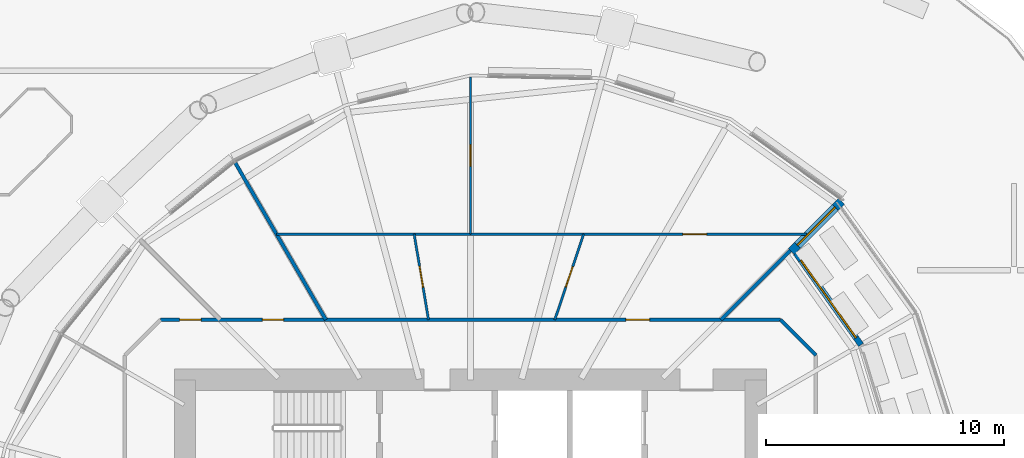
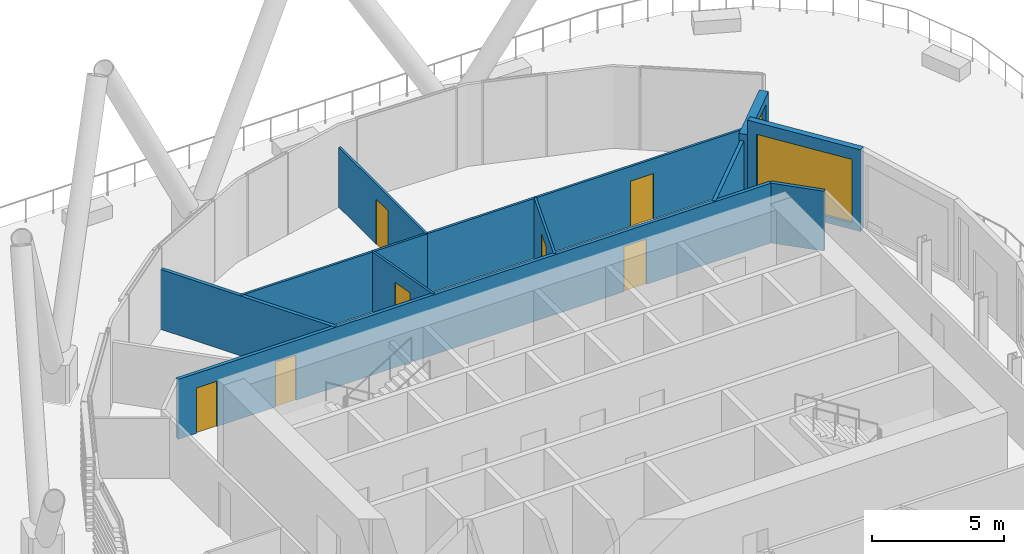
# One storey, part 33 of 47: 11 walls, 7 doors, 2 windows, 9 openings.
"""IFC4 building model written with IfcOpenShell, lengths in metres."""

import ifcopenshell
import ifcopenshell.guid

model = None  # the IFC model being written
_history = None  # IfcOwnerHistory: only IFC2X3 demands one
_inside = {}  # id of a spatial element -> (the spatial element, [elements in it])
_under = {}  # id of a project, library or spatial element -> (it, [spatial elements below it])
_declared = {}  # id of a project -> (the project, [libraries it declares])
_typed = {}  # id of a type object -> (the type object, [elements of that type])
_made_of = {}  # id of a material, layer set ... -> (it, [elements and type objects made of it])


def new_model(schema):
    """Start an empty IFC model of exactly this schema.

    Asked for "IFC4X3", IfcOpenShell would pick the latest addendum, in which some entities
    have other attributes; the version numbers below select the first issue.
    IFC2X3 requires an IfcOwnerHistory on every rooted entity: one is made here for all.
    """
    global model, _history
    if schema == "IFC4X3":
        model = ifcopenshell.file(schema_version=(4, 3, 0, 0))
    else:
        model = ifcopenshell.file(schema=schema)
    _inside.clear()
    _under.clear()
    _declared.clear()
    _typed.clear()
    _made_of.clear()
    _history = None
    if model.schema == "IFC2X3":
        org = make("IfcOrganization", Name="unknown")
        user = make(
            "IfcPersonAndOrganization",
            ThePerson=make("IfcPerson", FamilyName="unknown"),
            TheOrganization=org,
        )
        app = make(
            "IfcApplication",
            ApplicationDeveloper=org,
            Version="unknown",
            ApplicationFullName="unknown",
            ApplicationIdentifier="unknown",
        )
        _history = make(
            "IfcOwnerHistory",
            OwningUser=user,
            OwningApplication=app,
            ChangeAction="ADDED",
            CreationDate=0,
        )
    return model


def make(cls, **values):
    """One entity of the class cls with the attributes given. An attribute that is None is left unset."""
    return model.create_entity(
        cls, **{name: value for name, value in values.items() if value is not None}
    )


def rooted(cls, **values):
    """An entity with a GlobalId (a new one), such as an element, a storey or a relation."""
    return make(cls, GlobalId=ifcopenshell.guid.new(), OwnerHistory=_history, **values)


def si_unit(unit_type, name, prefix=None):
    """IfcSIUnit, for example si_unit("LENGTHUNIT", "METRE", prefix="MILLI")."""
    return make("IfcSIUnit", UnitType=unit_type, Prefix=prefix, Name=name)


def assignment(units):
    """IfcUnitAssignment: the units of a project."""
    return None if units is None else make("IfcUnitAssignment", Units=units)


def point(xyz):
    """IfcCartesianPoint."""
    return None if xyz is None else make("IfcCartesianPoint", Coordinates=xyz)


def direction(xyz):
    """IfcDirection."""
    return None if xyz is None else make("IfcDirection", DirectionRatios=xyz)


def frame(location, z_axis=None, x_axis=None):
    """IfcAxis2Placement3D, a coordinate frame: its origin and axes. An axis left out is left unset."""
    return make(
        "IfcAxis2Placement3D",
        Location=point(location),
        Axis=direction(z_axis),
        RefDirection=direction(x_axis),
    )


def frame_2d(location, x_axis=None):
    """IfcAxis2Placement2D, a coordinate frame in the plane: its origin and x axis."""
    return make(
        "IfcAxis2Placement2D", Location=point(location), RefDirection=direction(x_axis)
    )


def origin():
    """The frame at (0, 0, 0) with its axes left unset."""
    return frame((0.0, 0.0, 0.0))


def place(relative_to, where):
    """IfcLocalPlacement: puts the frame where relative to a parent placement (None: the world)."""
    return make(
        "IfcLocalPlacement", PlacementRelTo=relative_to, RelativePlacement=where
    )


def context(
    kind, dimensions, precision=None, world=None, true_north=None, identifier=None
):
    """IfcGeometricRepresentationContext, for example the 3D "Model" context."""
    return make(
        "IfcGeometricRepresentationContext",
        ContextIdentifier=identifier,
        ContextType=kind,
        CoordinateSpaceDimension=dimensions,
        Precision=precision,
        WorldCoordinateSystem=world,
        TrueNorth=true_north,
    )


def subcontext(parent, identifier, kind, view, scale=None):
    """IfcGeometricRepresentationSubContext, for example "Body" below "Model"."""
    return make(
        "IfcGeometricRepresentationSubContext",
        ContextIdentifier=identifier,
        ContextType=kind,
        ParentContext=parent,
        TargetScale=scale,
        TargetView=view,
    )


def project(units=None, contexts=None):
    """IfcProject with its units and contexts."""
    return rooted(
        "IfcProject",
        Name="project",
        RepresentationContexts=contexts,
        UnitsInContext=assignment(units),
    )


def spatial(cls, under=None, at=None, **own):
    """A site, building, storey or space (cls), placed at a placement, below another one or the project."""
    s = rooted(cls, ObjectPlacement=at, **own)
    if under is not None:
        _under.setdefault(under.id(), (under, []))[1].append(s)
    return s


def profile(cls, at=None, kind="AREA", **sizes):
    """A parametric profile (cls). Its sizes go by their IFC names, for example OverallWidth=200.0."""
    return make(cls, ProfileType=kind, Position=at, **sizes)


def rectangle(**sizes):
    """IfcRectangleProfileDef."""
    return profile("IfcRectangleProfileDef", **sizes)


def extrude(swept, where, along, depth):
    """IfcExtrudedAreaSolid: the profile swept, set in the frame where, extruded along a direction by depth."""
    return make(
        "IfcExtrudedAreaSolid",
        SweptArea=swept,
        Position=where,
        ExtrudedDirection=direction(along),
        Depth=depth,
    )


def shape(context_of_items, identifier, shape_type, items):
    """IfcShapeRepresentation: the items that make up one representation, for example the "Body"."""
    return make(
        "IfcShapeRepresentation",
        ContextOfItems=context_of_items,
        RepresentationIdentifier=identifier,
        RepresentationType=shape_type,
        Items=items,
    )


def material(Name=None, Category=None):
    """IfcMaterial."""
    return make("IfcMaterial", Name=Name, Category=Category)


def layer(
    of_material, thickness, ventilated=None, Name=None, Category=None, Priority=None
):
    """IfcMaterialLayer: one layer of a wall or slab, of a material (None: an air gap)."""
    return make(
        "IfcMaterialLayer",
        Material=of_material,
        LayerThickness=thickness,
        IsVentilated=ventilated,
        Name=Name,
        Category=Category,
        Priority=Priority,
    )


def layer_set(layers, Name=None):
    """IfcMaterialLayerSet."""
    return make("IfcMaterialLayerSet", MaterialLayers=layers, LayerSetName=Name)


def made_of(thing, what):
    """Note that an element or type object is made of a material, layer set ...; save() writes the relation."""
    if what is not None:
        _made_of.setdefault(what.id(), (what, []))[1].append(thing)
    return thing


def type_object(cls, material=None, **own):
    """A type object (cls), such as IfcWallType, which elements share."""
    return made_of(rooted(cls, **own), material)


def element(
    cls,
    number,
    at=None,
    inside=None,
    cuts=None,
    type_object=None,
    material=None,
    context=None,
    identifier="Body",
    shape_type=None,
    held_by="IfcProductDefinitionShape",
    body=None,
    shapes=None,
    **own,
):
    """One element of the class cls, such as IfcWall. Its Tag is "e" and its number.

    at: its placement. inside: the storey or other place that contains it. cuts: it is an
    opening in that element (IfcRelVoidsElement). A single representation is given by context,
    identifier, shape_type and body (its items); several are given by shapes. held_by: the class
    of the entity that holds the representations. save() writes the other relations.
    """
    e = rooted(cls, Tag="e%d" % number, ObjectPlacement=at, **own)
    if body is not None:
        shapes = [shape(context, identifier, shape_type, body)]
    if shapes is not None:
        e.Representation = make(held_by, Representations=shapes)
    if inside is not None:
        _inside.setdefault(inside.id(), (inside, []))[1].append(e)
    if cuts is not None:
        rooted(
            "IfcRelVoidsElement", RelatingBuildingElement=cuts, RelatedOpeningElement=e
        )
    if type_object is not None:
        _typed.setdefault(type_object.id(), (type_object, []))[1].append(e)
    return made_of(e, material)


def fill(opening, filler):
    """IfcRelFillsElement: the door or window that sits in an opening."""
    return rooted(
        "IfcRelFillsElement",
        RelatingOpeningElement=opening,
        RelatedBuildingElement=filler,
    )


def aggregate(whole, parts):
    """IfcRelAggregates: a whole, such as a stair, and the parts it consists of."""
    return rooted("IfcRelAggregates", RelatingObject=whole, RelatedObjects=parts)


def save(model, path):
    """Write the relations noted so far, then the file.

    IfcRelAggregates (storeys below a building ...), IfcRelContainedInSpatialStructure (elements
    in a storey), IfcRelDefinesByType, IfcRelAssociatesMaterial and IfcRelDeclares: one each for
    every whole, place, type object, material and project.
    """
    for whole, parts in _under.values():
        aggregate(whole, parts)
    for where, things in _inside.values():
        rooted(
            "IfcRelContainedInSpatialStructure",
            RelatedElements=things,
            RelatingStructure=where,
        )
    for kind, things in _typed.values():
        rooted("IfcRelDefinesByType", RelatedObjects=things, RelatingType=kind)
    for what, things in _made_of.values():
        rooted("IfcRelAssociatesMaterial", RelatedObjects=things, RelatingMaterial=what)
    for by, libraries in _declared.values():
        rooted("IfcRelDeclares", RelatingContext=by, RelatedDefinitions=libraries)
    model.write(path)


model = new_model("IFC4")

# Units and contexts
model_context = context("Model", 3, precision=1e-05, world=origin(), true_north=direction((0.0, 1.0)))
body_context = subcontext(model_context, "Body", "Model", "MODEL_VIEW")
ifc_project = project(units=[si_unit("LENGTHUNIT", "METRE"), si_unit("AREAUNIT", "SQUARE_METRE"), si_unit("VOLUMEUNIT", "CUBIC_METRE"), si_unit("PLANEANGLEUNIT", "RADIAN"), si_unit("MASSUNIT", "GRAM", prefix="KILO")], contexts=[model_context])

# Site, building, storey
site_placement = place(None, origin())
site = spatial("IfcSite", under=ifc_project, at=site_placement, CompositionType="ELEMENT")
building_placement = place(site_placement, origin())
building = spatial("IfcBuilding", under=site, at=building_placement, Name="Rimbun Link Towers", CompositionType="ELEMENT")
storey_placement = place(building_placement, frame((0.0, 0.0, 30.0)))
storey = spatial("IfcBuildingStorey", under=building, at=storey_placement, Name="L06", CompositionType="ELEMENT", Elevation=30.0)

# Wall, opening, window
ifc_material_1 = material(Name="Dark enamelled glass spandrel on insulated aluminium backpan", Category="aluminium")
ifc_layer_1 = layer(ifc_material_1, 0.25)
ifc_layer_set_1 = layer_set([ifc_layer_1], Name="CS dark enamelled spandrel wall 250")
wall_type_1 = type_object("IfcWallType", Name="CS dark enamelled spandrel wall 250", PredefinedType="STANDARD", material=ifc_layer_set_1)
wall_1_placement = place(storey_placement, frame((45.430419921875, 13.326904296875, 0.0), z_axis=(0.0, 0.0, 1.0), x_axis=(0.578853291803, -0.815431705643, 0.0)))
wall_1 = element("IfcWall", 1, at=wall_1_placement, inside=storey, type_object=wall_type_1, Name="Crease spandrel wall", PredefinedType="STANDARD", context=body_context, shape_type="SweptSolid", body=[
    extrude(rectangle(XDim=4.73046875, YDim=0.25, at=frame_2d((2.365234375, 0.0))), origin(), (0.0, 0.0, 1.0), 3.800048828125),
])
opening_1_placement = place(wall_1_placement, frame((0.365234375, 0.0, 0.300048828125)))
opening_1 = element("IfcOpeningElement", 2, at=opening_1_placement, cuts=wall_1, Name="Opening WR40H295", PredefinedType="OPENING", context=body_context, shape_type="SweptSolid", body=[
    extrude(rectangle(XDim=4.0, YDim=2.949951171875, at=frame_2d((2.0, 1.47509765625))), frame((0.0, 0.135009765625, 0.0), z_axis=(0.0, -1.0, 0.0), x_axis=(1.0, 0.0, 0.0)), (0.0, 0.0, 1.0), 0.27001953125),
])
ifc_material_2 = material(Name="Aluminium framed fixed window, dark tinted low-e glass", Category="aluminium")
window_type_1 = type_object("IfcWindowType", Name="WR ribbon window 4000X2950", PartitioningType="SINGLE_PANEL", PredefinedType="WINDOW", material=ifc_material_2)
window_1_placement = place(opening_1_placement, origin())
window_1 = element("IfcWindow", 3, at=window_1_placement, inside=storey, type_object=window_type_1, Name="Crease ribbon window", OverallHeight=2.949951171875, OverallWidth=4.0, PartitioningType="SINGLE_PANEL", PredefinedType="WINDOW", context=body_context, shape_type="SweptSolid", body=[
    extrude(rectangle(XDim=4.0, YDim=2.949951171875, at=frame_2d((2.0, 1.47509765625))), frame((0.0, 0.030029296875, 0.0), z_axis=(0.0, -1.0, 0.0), x_axis=(1.0, 0.0, 0.0)), (0.0, 0.0, 1.0), 0.06005859375),
])
fill(opening_1, window_1)

ifc_material_3 = material(Name="Dark enamelled glass spandrel on insulated aluminium backpan", Category="aluminium")
ifc_layer_2 = layer(ifc_material_3, 0.3701171875)
ifc_layer_set_2 = layer_set([ifc_layer_2], Name="CS dark enamelled spandrel wall 370")
wall_type_2 = type_object("IfcWallType", Name="CS dark enamelled spandrel wall 370", PredefinedType="STANDARD", material=ifc_layer_set_2)
wall_2_placement = place(storey_placement, frame((47.34716796875, 15.505126953125, 0.0), z_axis=(0.0, 0.0, 1.0), x_axis=(-0.707106781187, -0.707106781187, 0.0)))
wall_2 = element("IfcWall", 4, at=wall_2_placement, inside=storey, type_object=wall_type_2, Name="Crease spandrel wall", PredefinedType="STANDARD", context=body_context, shape_type="SweptSolid", body=[
    extrude(rectangle(XDim=2.97998046875, YDim=0.3701171875, at=frame_2d((1.489990234375, 0.0))), origin(), (0.0, 0.0, 1.0), 3.0966796875),
])
opening_2_placement = place(wall_2_placement, frame((0.364990234375, 0.0, 0.300048828125)))
opening_2 = element("IfcOpeningElement", 5, at=opening_2_placement, cuts=wall_2, Name="Opening WR22H245", PredefinedType="OPENING", context=body_context, shape_type="SweptSolid", body=[
    extrude(rectangle(XDim=2.25, YDim=2.449951171875, at=frame_2d((1.125, 1.22509765625))), frame((0.0, 0.195068359375, 0.0), z_axis=(0.0, -1.0, 0.0), x_axis=(1.0, 0.0, 0.0)), (0.0, 0.0, 1.0), 0.39013671875),
])
ifc_material_4 = material(Name="Aluminium framed fixed window, dark tinted low-e glass", Category="aluminium")
window_type_2 = type_object("IfcWindowType", Name="WR ribbon window 2250X2450", PartitioningType="SINGLE_PANEL", PredefinedType="WINDOW", material=ifc_material_4)
window_2_placement = place(opening_2_placement, origin())
window_2 = element("IfcWindow", 6, at=window_2_placement, inside=storey, type_object=window_type_2, Name="Crease ribbon window", OverallHeight=2.449951171875, OverallWidth=2.25, PartitioningType="SINGLE_PANEL", PredefinedType="WINDOW", context=body_context, shape_type="SweptSolid", body=[
    extrude(rectangle(XDim=2.25, YDim=2.449951171875, at=frame_2d((1.125, 1.22509765625))), frame((0.0, 0.030029296875, 0.0), z_axis=(0.0, -1.0, 0.0), x_axis=(1.0, 0.0, 0.0)), (0.0, 0.0, 1.0), 0.06005859375),
])
fill(opening_2, window_2)

# Wall, openings, doors
ifc_material_5 = material(Name="Plasterboard on steel stud, mineral wool", Category="steel")
ifc_layer_3 = layer(ifc_material_5, 0.14990234375)
ifc_layer_set_3 = layer_set([ifc_layer_3], Name="Corridor wall EI 30 150 mm")
wall_type_3 = type_object("IfcWallType", Name="Corridor wall EI 30 150 mm", PredefinedType="PARTITIONING", material=ifc_layer_set_3)
wall_3_placement = place(storey_placement, frame((18.723388671875, 10.52490234375, 0.0), z_axis=(0.0, 0.0, 1.0), x_axis=(1.0, 0.0, 0.0)))
wall_3 = element("IfcWall", 7, at=wall_3_placement, inside=storey, type_object=wall_type_3, Name="Corridor wall EI 30 150 mm", PredefinedType="PARTITIONING", context=body_context, shape_type="SweptSolid", body=[
    extrude(rectangle(XDim=26.05322265625, YDim=0.14990234375, at=frame_2d((13.026611328125, 0.0))), origin(), (0.0, 0.0, 1.0), 2.779052734375),
])
opening_3_placement = place(wall_3_placement, frame((19.5625, 0.0, 0.0)))
opening_3 = element("IfcOpeningElement", 8, at=opening_3_placement, cuts=wall_3, Name="Opening D01", PredefinedType="OPENING", context=body_context, shape_type="SweptSolid", body=[
    extrude(rectangle(XDim=1.0, YDim=2.10009765625, at=frame_2d((0.5, 1.050048828125))), frame((0.0, 0.0849609375, 0.0), z_axis=(0.0, -1.0, 0.0), x_axis=(1.0, 0.0, 0.0)), (0.0, 0.0, 1.0), 0.169921875),
])
opening_4_placement = place(wall_3_placement, frame((4.27587890625, 0.0, 0.0)))
opening_4 = element("IfcOpeningElement", 9, at=opening_4_placement, cuts=wall_3, Name="Opening D02", PredefinedType="OPENING", context=body_context, shape_type="SweptSolid", body=[
    extrude(rectangle(XDim=0.89990234375, YDim=2.10009765625, at=frame_2d((0.449951171875, 1.050048828125))), frame((0.0, 0.0849609375, 0.0), z_axis=(0.0, -1.0, 0.0), x_axis=(1.0, 0.0, 0.0)), (0.0, 0.0, 1.0), 0.169921875),
])
opening_5_placement = place(wall_3_placement, frame((0.80078125, 0.0, 0.0)))
opening_5 = element("IfcOpeningElement", 10, at=opening_5_placement, cuts=wall_3, Name="Opening D02", PredefinedType="OPENING", context=body_context, shape_type="SweptSolid", body=[
    extrude(rectangle(XDim=0.89990234375, YDim=2.10009765625, at=frame_2d((0.449951171875, 1.050048828125))), frame((0.0, 0.0849609375, 0.0), z_axis=(0.0, -1.0, 0.0), x_axis=(1.0, 0.0, 0.0)), (0.0, 0.0, 1.0), 0.169921875),
])
ifc_material_6 = material(Name="Fire-resisting timber door leaf", Category="wood")
door_type_1 = type_object("IfcDoorType", Name="Fire door FD30S 1000", OperationType="NOTDEFINED", PredefinedType="DOOR", material=ifc_material_6)
door_1_placement = place(opening_3_placement, origin())
door_1 = element("IfcDoor", 11, at=door_1_placement, inside=storey, type_object=door_type_1, Name="Fire door FD30S 1000 to Reception", OperationType="SINGLE_SWING_LEFT", OverallHeight=2.10009765625, OverallWidth=1.0, PredefinedType="DOOR", context=body_context, shape_type="SweptSolid", body=[
    extrude(rectangle(XDim=1.0, YDim=2.10009765625, at=frame_2d((0.5, 1.050048828125))), frame((0.0, 0.02490234375, 0.0), z_axis=(0.0, -1.0, 0.0), x_axis=(1.0, 0.0, 0.0)), (0.0, 0.0, 1.0), 0.050048828125),
])
fill(opening_3, door_1)
ifc_material_7 = material(Name="Fire-resisting timber door leaf", Category="wood")
door_type_2 = type_object("IfcDoorType", Name="Fire door FD30S 900", OperationType="NOTDEFINED", PredefinedType="DOOR", material=ifc_material_7)
door_2_placement = place(opening_4_placement, origin())
door_2 = element("IfcDoor", 12, at=door_2_placement, inside=storey, type_object=door_type_2, Name="Fire door FD30S 900 to Print room", OperationType="SINGLE_SWING_RIGHT", OverallHeight=2.10009765625, OverallWidth=0.89990234375, PredefinedType="DOOR", context=body_context, shape_type="SweptSolid", body=[
    extrude(rectangle(XDim=0.89990234375, YDim=2.10009765625, at=frame_2d((0.449951171875, 1.050048828125))), frame((0.0, 0.02490234375, 0.0), z_axis=(0.0, -1.0, 0.0), x_axis=(1.0, 0.0, 0.0)), (0.0, 0.0, 1.0), 0.050048828125),
])
fill(opening_4, door_2)
door_3_placement = place(opening_5_placement, origin())
door_3 = element("IfcDoor", 13, at=door_3_placement, inside=storey, type_object=door_type_2, Name="Fire door FD30S 900 to Cellular office", OperationType="SINGLE_SWING_LEFT", OverallHeight=2.10009765625, OverallWidth=0.89990234375, PredefinedType="DOOR", context=body_context, shape_type="SweptSolid", body=[
    extrude(rectangle(XDim=0.89990234375, YDim=2.10009765625, at=frame_2d((0.449951171875, 1.050048828125))), frame((0.0, 0.02490234375, 0.0), z_axis=(0.0, -1.0, 0.0), x_axis=(1.0, 0.0, 0.0)), (0.0, 0.0, 1.0), 0.050048828125),
])
fill(opening_5, door_3)

# Wall
wall_4_placement = place(storey_placement, frame((46.27490234375, 9.026611328125, 0.0), z_axis=(0.0, 0.0, 1.0), x_axis=(-0.707106781187, 0.707106781187, 0.0)))
element("IfcWall", 14, at=wall_4_placement, inside=storey, type_object=wall_type_3, Name="Corridor wall EI 30 150 mm", PredefinedType="PARTITIONING", context=body_context, shape_type="SweptSolid", body=[
    extrude(rectangle(XDim=2.118896484375, YDim=0.14990234375, at=frame_2d((1.0595703125, 0.0))), origin(), (0.0, 0.0, 1.0), 2.779052734375),
])

# Wall, opening, door
ifc_material_8 = material(Name="Plasterboard on steel stud", Category="steel")
ifc_layer_4 = layer(ifc_material_8, 0.10009765625)
ifc_layer_set_4 = layer_set([ifc_layer_4], Name="Plasterboard partition 100 mm")
wall_type_4 = type_object("IfcWallType", Name="Plasterboard partition 100 mm", PredefinedType="PARTITIONING", material=ifc_layer_set_4)
wall_5_placement = place(storey_placement, frame((35.29638671875, 10.52490234375, 0.0), z_axis=(0.0, 0.0, 1.0), x_axis=(0.319330046256, 0.947643562506, 0.0)))
wall_5 = element("IfcWall", 15, at=wall_5_placement, inside=storey, type_object=wall_type_4, Name="Plasterboard partition 100 mm", PredefinedType="PARTITIONING", context=body_context, shape_type="SweptSolid", body=[
    extrude(rectangle(XDim=3.799072265625, YDim=0.10009765625, at=frame_2d((1.8994140625, 0.0))), origin(), (0.0, 0.0, 1.0), 2.779052734375),
])
opening_6_placement = place(wall_5_placement, frame((1.449462890625, 0.0, 0.0)))
opening_6 = element("IfcOpeningElement", 16, at=opening_6_placement, cuts=wall_5, Name="Opening D04", PredefinedType="OPENING", context=body_context, shape_type="SweptSolid", body=[
    extrude(rectangle(XDim=0.89990234375, YDim=2.10009765625, at=frame_2d((0.449951171875, 1.050048828125))), frame((0.0, 0.06005859375, 0.0), z_axis=(0.0, -1.0, 0.0), x_axis=(1.0, 0.0, 0.0)), (0.0, 0.0, 1.0), 0.1201171875),
])
ifc_material_9 = material(Name="Timber door leaf", Category="wood")
door_type_3 = type_object("IfcDoorType", Name="Flush door 900", OperationType="NOTDEFINED", PredefinedType="DOOR", material=ifc_material_9)
door_4_placement = place(opening_6_placement, origin())
door_4 = element("IfcDoor", 17, at=door_4_placement, inside=storey, type_object=door_type_3, Name="Flush door 900 to Meeting room", OperationType="SINGLE_SWING_LEFT", OverallHeight=2.10009765625, OverallWidth=0.89990234375, PredefinedType="DOOR", context=body_context, shape_type="SweptSolid", body=[
    extrude(rectangle(XDim=0.89990234375, YDim=2.10009765625, at=frame_2d((0.449951171875, 1.050048828125))), frame((0.0, 0.02490234375, 0.0), z_axis=(0.0, -1.0, 0.0), x_axis=(1.0, 0.0, 0.0)), (0.0, 0.0, 1.0), 0.050048828125),
])
fill(opening_6, door_4)

wall_6_placement = place(storey_placement, frame((31.75, 14.125, 0.0), z_axis=(0.0, 0.0, 1.0), x_axis=(1.0, 0.0, 0.0)))
wall_6 = element("IfcWall", 18, at=wall_6_placement, inside=storey, type_object=wall_type_4, Name="Plasterboard partition 100 mm", PredefinedType="PARTITIONING", context=body_context, shape_type="SweptSolid", body=[
    extrude(rectangle(XDim=14.125, YDim=0.10009765625, at=frame_2d((7.0625, 0.0))), origin(), (0.0, 0.0, 1.0), 2.779052734375),
])
opening_7_placement = place(wall_6_placement, frame((8.926513671875, 0.0, 0.0)))
opening_7 = element("IfcOpeningElement", 19, at=opening_7_placement, cuts=wall_6, Name="Opening D03", PredefinedType="OPENING", context=body_context, shape_type="SweptSolid", body=[
    extrude(rectangle(XDim=1.0, YDim=2.10009765625, at=frame_2d((0.5, 1.050048828125))), frame((0.0, 0.06005859375, 0.0), z_axis=(0.0, -1.0, 0.0), x_axis=(1.0, 0.0, 0.0)), (0.0, 0.0, 1.0), 0.1201171875),
])
ifc_material_10 = material(Name="Timber door leaf", Category="wood")
door_type_4 = type_object("IfcDoorType", Name="Flush door 1000", OperationType="NOTDEFINED", PredefinedType="DOOR", material=ifc_material_10)
door_5_placement = place(opening_7_placement, origin())
door_5 = element("IfcDoor", 20, at=door_5_placement, inside=storey, type_object=door_type_4, Name="Flush door 1000 to Co-working space", OperationType="SINGLE_SWING_RIGHT", OverallHeight=2.10009765625, OverallWidth=1.0, PredefinedType="DOOR", context=body_context, shape_type="SweptSolid", body=[
    extrude(rectangle(XDim=1.0, YDim=2.10009765625, at=frame_2d((0.5, 1.050048828125))), frame((0.0, 0.02490234375, 0.0), z_axis=(0.0, -1.0, 0.0), x_axis=(1.0, 0.0, 0.0)), (0.0, 0.0, 1.0), 0.050048828125),
])
fill(opening_7, door_5)

wall_7_placement = place(storey_placement, frame((29.9873046875, 10.52490234375, 0.0), z_axis=(0.0, 0.0, 1.0), x_axis=(-0.165136472475, 0.98627072625, 0.0)))
wall_7 = element("IfcWall", 21, at=wall_7_placement, inside=storey, type_object=wall_type_4, Name="Plasterboard partition 100 mm", PredefinedType="PARTITIONING", context=body_context, shape_type="SweptSolid", body=[
    extrude(rectangle(XDim=3.650146484375, YDim=0.10009765625, at=frame_2d((1.8251953125, 0.0))), origin(), (0.0, 0.0, 1.0), 2.779052734375),
])
opening_8_placement = place(wall_7_placement, frame((1.375, 0.0, 0.0)))
opening_8 = element("IfcOpeningElement", 22, at=opening_8_placement, cuts=wall_7, Name="Opening D04", PredefinedType="OPENING", context=body_context, shape_type="SweptSolid", body=[
    extrude(rectangle(XDim=0.89990234375, YDim=2.10009765625, at=frame_2d((0.449951171875, 1.050048828125))), frame((0.0, 0.06005859375, 0.0), z_axis=(0.0, -1.0, 0.0), x_axis=(1.0, 0.0, 0.0)), (0.0, 0.0, 1.0), 0.1201171875),
])
door_6_placement = place(opening_8_placement, origin())
door_6 = element("IfcDoor", 23, at=door_6_placement, inside=storey, type_object=door_type_3, Name="Flush door 900 to Pantry", OperationType="SINGLE_SWING_RIGHT", OverallHeight=2.10009765625, OverallWidth=0.89990234375, PredefinedType="DOOR", context=body_context, shape_type="SweptSolid", body=[
    extrude(rectangle(XDim=0.89990234375, YDim=2.10009765625, at=frame_2d((0.449951171875, 1.050048828125))), frame((0.0, 0.02490234375, 0.0), z_axis=(0.0, -1.0, 0.0), x_axis=(1.0, 0.0, 0.0)), (0.0, 0.0, 1.0), 0.050048828125),
])
fill(opening_8, door_6)

# Wall
wall_8_placement = place(storey_placement, frame((31.75, 14.125, 0.0), z_axis=(0.0, 0.0, 1.0), x_axis=(-1.0, 0.0, 0.0)))
element("IfcWall", 24, at=wall_8_placement, inside=storey, type_object=wall_type_4, Name="Plasterboard partition 100 mm", PredefinedType="PARTITIONING", context=body_context, shape_type="SweptSolid", body=[
    extrude(rectangle(XDim=8.155029296875, YDim=0.10009765625, at=frame_2d((4.07763671875, 0.0))), origin(), (0.0, 0.0, 1.0), 2.779052734375),
])

# Wall, opening, door
wall_9_placement = place(storey_placement, frame((31.75, 14.125, 0.0), z_axis=(0.0, 0.0, 1.0), x_axis=(0.0, 1.0, 0.0)))
wall_9 = element("IfcWall", 25, at=wall_9_placement, inside=storey, type_object=wall_type_4, Name="Plasterboard partition 100 mm", PredefinedType="PARTITIONING", context=body_context, shape_type="SweptSolid", body=[
    extrude(rectangle(XDim=6.6083984375, YDim=0.10009765625, at=frame_2d((3.30419921875, 0.0))), origin(), (0.0, 0.0, 1.0), 2.779052734375),
])
opening_9_placement = place(wall_9_placement, frame((2.854248046875, 0.0, 0.0)))
opening_9 = element("IfcOpeningElement", 26, at=opening_9_placement, cuts=wall_9, Name="Opening D04", PredefinedType="OPENING", context=body_context, shape_type="SweptSolid", body=[
    extrude(rectangle(XDim=0.89990234375, YDim=2.10009765625, at=frame_2d((0.449951171875, 1.050048828125))), frame((0.0, 0.06005859375, 0.0), z_axis=(0.0, -1.0, 0.0), x_axis=(1.0, 0.0, 0.0)), (0.0, 0.0, 1.0), 0.1201171875),
])
door_7_placement = place(opening_9_placement, origin())
door_7 = element("IfcDoor", 27, at=door_7_placement, inside=storey, type_object=door_type_3, Name="Flush door 900 to Serviced office", OperationType="SINGLE_SWING_LEFT", OverallHeight=2.10009765625, OverallWidth=0.89990234375, PredefinedType="DOOR", context=body_context, shape_type="SweptSolid", body=[
    extrude(rectangle(XDim=0.89990234375, YDim=2.10009765625, at=frame_2d((0.449951171875, 1.050048828125))), frame((0.0, 0.02490234375, 0.0), z_axis=(0.0, -1.0, 0.0), x_axis=(1.0, 0.0, 0.0)), (0.0, 0.0, 1.0), 0.050048828125),
])
fill(opening_9, door_7)

# Walls
ifc_material_11 = material(Name="Plasterboard on steel stud, mineral wool", Category="steel")
ifc_layer_5 = layer(ifc_material_11, 0.14990234375)
ifc_layer_set_5 = layer_set([ifc_layer_5], Name="Tenancy separation wall EI 60 150 mm")
wall_type_5 = type_object("IfcWallType", Name="Tenancy separation wall EI 60 150 mm", PredefinedType="PARTITIONING", material=ifc_layer_set_5)
wall_10_placement = place(storey_placement, frame((42.27490234375, 10.52490234375, 0.0), z_axis=(0.0, 0.0, 1.0), x_axis=(0.707106781187, 0.707106781187, 0.0)))
element("IfcWall", 28, at=wall_10_placement, inside=storey, type_object=wall_type_5, Name="Tenancy separation wall EI 60 150 mm", PredefinedType="PARTITIONING", context=body_context, shape_type="SweptSolid", body=[
    extrude(rectangle(XDim=4.12841796875, YDim=0.14990234375, at=frame_2d((2.064208984375, 0.0))), origin(), (0.0, 0.0, 1.0), 2.779052734375),
])
wall_11_placement = place(storey_placement, frame((25.67333984375, 10.52490234375, 0.0), z_axis=(0.0, 0.0, 1.0), x_axis=(-0.499997376803, 0.866026918282, 0.0)))
element("IfcWall", 29, at=wall_11_placement, inside=storey, type_object=wall_type_5, Name="Tenancy separation wall EI 60 150 mm", PredefinedType="PARTITIONING", context=body_context, shape_type="SweptSolid", body=[
    extrude(rectangle(XDim=7.6357421875, YDim=0.14990234375, at=frame_2d((3.81787109375, 0.0))), origin(), (0.0, 0.0, 1.0), 2.779052734375),
])

save(model, "model.ifc")
